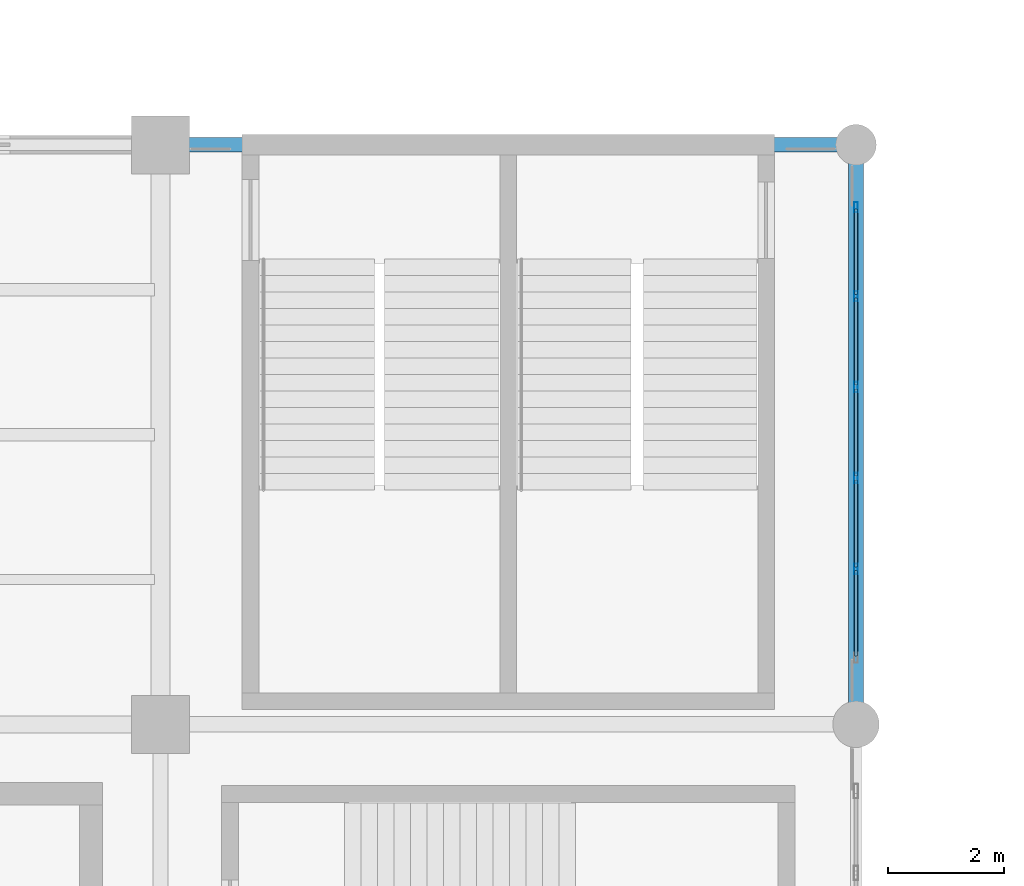
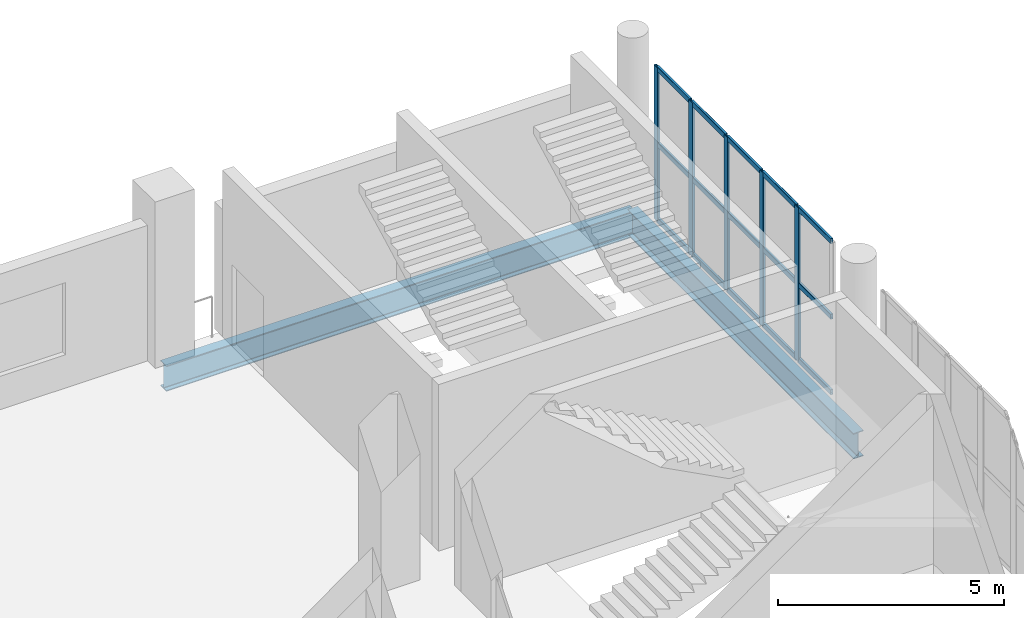
# One storey, part 65 of 108: 20 members, 2 beams, 1 element without a shape of its own.
"""IFC4 building model written with IfcOpenShell, lengths in metres."""

from ifc_helpers import new_model, si_unit, direction, frame, origin, origin_2d, place, context, subcontext, project, spatial, hollow_rectangle, i_section, extrude, material, layer, layer_set, material_profile, profile_set, type_object, element, aggregate, save


model = new_model("IFC4")

# Units and contexts
model_context = context("Model", 3, precision=1e-05, world=origin(), true_north=direction((0.0, 1.0)))
body_context = subcontext(model_context, "Body", "Model", "MODEL_VIEW")
ifc_project = project(units=[si_unit("LENGTHUNIT", "METRE"), si_unit("AREAUNIT", "SQUARE_METRE"), si_unit("VOLUMEUNIT", "CUBIC_METRE"), si_unit("PLANEANGLEUNIT", "RADIAN"), si_unit("MASSUNIT", "GRAM", prefix="KILO")], contexts=[model_context])

# Site, building, storey
site_placement = place(None, origin())
site = spatial("IfcSite", under=ifc_project, at=site_placement, CompositionType="ELEMENT")
building_placement = place(site_placement, origin())
building = spatial("IfcBuilding", under=site, at=building_placement, Name="Brinegate Civic Arena", CompositionType="ELEMENT")
storey_placement = place(building_placement, frame((0.0, 0.0, 10.199951171875)))
storey = spatial("IfcBuildingStorey", under=building, at=storey_placement, Name="L02", CompositionType="ELEMENT", Elevation=10.199951171875)

# Curtain wall, members
ifc_material_1 = material(Name="Marine grade aluminium", Category="aluminium")
ifc_layer = layer(ifc_material_1, 0.199951171875, Name="Marine grade aluminium")
ifc_layer_set = layer_set([ifc_layer], Name="Marine grade aluminium")
curtain_wall_type = type_object("IfcCurtainWallType", Name="CW-BOWL-GLAZED-01", PredefinedType="USERDEFINED", material=ifc_layer_set)
curtain_wall_placement = place(storey_placement, origin())
curtain_wall = element("IfcCurtainWall", 1, at=curtain_wall_placement, inside=storey, type_object=curtain_wall_type, Name="Curtain Wall CWA-092", ObjectType="GLAZED CURTAIN WALL", PredefinedType="USERDEFINED")
ifc_material_profile_1 = material_profile(ifc_material_1, hollow_rectangle(XDim=0.06494140625, YDim=0.179931640625, WallThickness=0.0048828125, InnerFilletRadius=0.00390625, OuterFilletRadius=0.008056640625, at=origin_2d()), Name="MUL65X180")
ifc_profile_set_1 = profile_set([ifc_material_profile_1], Name="Marine grade aluminium")
member_type_1 = type_object("IfcMemberType", Name="CW-MULLION-65X180", PredefinedType="MULLION", material=ifc_profile_set_1)
member_1_placement = place(storey_placement, frame((168.0, 106.683837890625, 0.0), z_axis=(0.0, 0.0, 1.0), x_axis=(-1.0, 0.0, 0.0)))
member_1 = element("IfcMember", 2, at=member_1_placement, type_object=member_type_1, Name="CWA-092 mullion 2", PredefinedType="MULLION", context=body_context, shape_type="SweptSolid", body=[
    extrude(hollow_rectangle(XDim=0.06494140625, YDim=0.179931640625, WallThickness=0.0048828125, InnerFilletRadius=0.00390625, OuterFilletRadius=0.008056640625, at=origin_2d()), origin(), (0.0, 0.0, 1.0), 4.150146484375),
])
member_2_placement = place(storey_placement, frame((168.0, 108.251708984375, 0.0), z_axis=(0.0, 0.0, 1.0), x_axis=(-1.0, 0.0, 0.0)))
member_2 = element("IfcMember", 3, at=member_2_placement, type_object=member_type_1, Name="CWA-092 mullion 3", PredefinedType="MULLION", context=body_context, shape_type="SweptSolid", body=[
    extrude(hollow_rectangle(XDim=0.06494140625, YDim=0.179931640625, WallThickness=0.0048828125, InnerFilletRadius=0.00390625, OuterFilletRadius=0.008056640625, at=origin_2d()), origin(), (0.0, 0.0, 1.0), 4.150146484375),
])
member_3_placement = place(storey_placement, frame((168.0, 109.8193359375, 0.0), z_axis=(0.0, 0.0, 1.0), x_axis=(-1.0, 0.0, 0.0)))
member_3 = element("IfcMember", 4, at=member_3_placement, type_object=member_type_1, Name="CWA-092 mullion 4", PredefinedType="MULLION", context=body_context, shape_type="SweptSolid", body=[
    extrude(hollow_rectangle(XDim=0.06494140625, YDim=0.179931640625, WallThickness=0.0048828125, InnerFilletRadius=0.00390625, OuterFilletRadius=0.008056640625, at=origin_2d()), origin(), (0.0, 0.0, 1.0), 4.150146484375),
])
member_4_placement = place(storey_placement, frame((168.0, 111.38720703125, 0.0), z_axis=(0.0, 0.0, 1.0), x_axis=(-1.0, 0.0, 0.0)))
member_4 = element("IfcMember", 5, at=member_4_placement, type_object=member_type_1, Name="CWA-092 mullion 5", PredefinedType="MULLION", context=body_context, shape_type="SweptSolid", body=[
    extrude(hollow_rectangle(XDim=0.06494140625, YDim=0.179931640625, WallThickness=0.0048828125, InnerFilletRadius=0.00390625, OuterFilletRadius=0.008056640625, at=origin_2d()), origin(), (0.0, 0.0, 1.0), 4.150146484375),
])
member_5_placement = place(storey_placement, frame((168.0, 112.922607421875, 0.0), z_axis=(0.0, 0.0, 1.0), x_axis=(-1.0, 0.0, 0.0)))
member_5 = element("IfcMember", 6, at=member_5_placement, type_object=member_type_1, Name="CWA-092 mullion 6", PredefinedType="MULLION", context=body_context, shape_type="SweptSolid", body=[
    extrude(hollow_rectangle(XDim=0.06494140625, YDim=0.179931640625, WallThickness=0.0048828125, InnerFilletRadius=0.00390625, OuterFilletRadius=0.008056640625, at=origin_2d()), origin(), (0.0, 0.0, 1.0), 4.150146484375),
])
ifc_material_profile_2 = material_profile(ifc_material_1, hollow_rectangle(XDim=0.06494140625, YDim=0.139892578125, WallThickness=0.0048828125, InnerFilletRadius=0.00390625, OuterFilletRadius=0.008056640625, at=origin_2d()), Name="TRN65X140")
ifc_profile_set_2 = profile_set([ifc_material_profile_2], Name="Marine grade aluminium")
member_type_2 = type_object("IfcMemberType", Name="CW-TRANSOM-65X140", PredefinedType="USERDEFINED", material=ifc_profile_set_2)
member_6_placement = place(storey_placement, frame((168.0, 105.180908203125, 0.032470703125), z_axis=(0.0, 1.0, 0.0), x_axis=(-1.0, 0.0, 0.0)))
member_6 = element("IfcMember", 7, at=member_6_placement, type_object=member_type_2, Name="CWA-092 transom 1.1", ObjectType="TRANSOM", PredefinedType="USERDEFINED", context=body_context, shape_type="SweptSolid", body=[
    extrude(hollow_rectangle(XDim=0.06494140625, YDim=0.139892578125, WallThickness=0.0048828125, InnerFilletRadius=0.00390625, OuterFilletRadius=0.008056640625, at=origin_2d()), origin(), (0.0, 0.0, 1.0), 1.470458984375),
])
member_7_placement = place(storey_placement, frame((168.0, 105.180908203125, 2.074951171875), z_axis=(0.0, 1.0, 0.0), x_axis=(-1.0, 0.0, 0.0)))
member_7 = element("IfcMember", 8, at=member_7_placement, type_object=member_type_2, Name="CWA-092 transom 1.2", ObjectType="TRANSOM", PredefinedType="USERDEFINED", context=body_context, shape_type="SweptSolid", body=[
    extrude(hollow_rectangle(XDim=0.06494140625, YDim=0.139892578125, WallThickness=0.0048828125, InnerFilletRadius=0.00390625, OuterFilletRadius=0.008056640625, at=origin_2d()), origin(), (0.0, 0.0, 1.0), 1.470458984375),
])
member_8_placement = place(storey_placement, frame((168.0, 105.180908203125, 4.117431640625), z_axis=(0.0, 1.0, 0.0), x_axis=(-1.0, 0.0, 0.0)))
member_8 = element("IfcMember", 9, at=member_8_placement, type_object=member_type_2, Name="CWA-092 transom 1.3", ObjectType="TRANSOM", PredefinedType="USERDEFINED", context=body_context, shape_type="SweptSolid", body=[
    extrude(hollow_rectangle(XDim=0.06494140625, YDim=0.139892578125, WallThickness=0.0048828125, InnerFilletRadius=0.00390625, OuterFilletRadius=0.008056640625, at=origin_2d()), origin(), (0.0, 0.0, 1.0), 1.470458984375),
])
member_9_placement = place(storey_placement, frame((168.0, 106.71630859375, 0.032470703125), z_axis=(0.0, 1.0, 0.0), x_axis=(-1.0, 0.0, 0.0)))
member_9 = element("IfcMember", 10, at=member_9_placement, type_object=member_type_2, Name="CWA-092 transom 2.1", ObjectType="TRANSOM", PredefinedType="USERDEFINED", context=body_context, shape_type="SweptSolid", body=[
    extrude(hollow_rectangle(XDim=0.06494140625, YDim=0.139892578125, WallThickness=0.0048828125, InnerFilletRadius=0.00390625, OuterFilletRadius=0.008056640625, at=origin_2d()), origin(), (0.0, 0.0, 1.0), 1.502685546875),
])
member_10_placement = place(storey_placement, frame((168.0, 106.71630859375, 2.074951171875), z_axis=(0.0, 1.0, 0.0), x_axis=(-1.0, 0.0, 0.0)))
member_10 = element("IfcMember", 11, at=member_10_placement, type_object=member_type_2, Name="CWA-092 transom 2.2", ObjectType="TRANSOM", PredefinedType="USERDEFINED", context=body_context, shape_type="SweptSolid", body=[
    extrude(hollow_rectangle(XDim=0.06494140625, YDim=0.139892578125, WallThickness=0.0048828125, InnerFilletRadius=0.00390625, OuterFilletRadius=0.008056640625, at=origin_2d()), origin(), (0.0, 0.0, 1.0), 1.502685546875),
])
member_11_placement = place(storey_placement, frame((168.0, 106.71630859375, 4.117431640625), z_axis=(0.0, 1.0, 0.0), x_axis=(-1.0, 0.0, 0.0)))
member_11 = element("IfcMember", 12, at=member_11_placement, type_object=member_type_2, Name="CWA-092 transom 2.3", ObjectType="TRANSOM", PredefinedType="USERDEFINED", context=body_context, shape_type="SweptSolid", body=[
    extrude(hollow_rectangle(XDim=0.06494140625, YDim=0.139892578125, WallThickness=0.0048828125, InnerFilletRadius=0.00390625, OuterFilletRadius=0.008056640625, at=origin_2d()), origin(), (0.0, 0.0, 1.0), 1.502685546875),
])
member_12_placement = place(storey_placement, frame((168.0, 108.2841796875, 0.032470703125), z_axis=(0.0, 1.0, 0.0), x_axis=(-1.0, 0.0, 0.0)))
member_12 = element("IfcMember", 13, at=member_12_placement, type_object=member_type_2, Name="CWA-092 transom 3.1", ObjectType="TRANSOM", PredefinedType="USERDEFINED", context=body_context, shape_type="SweptSolid", body=[
    extrude(hollow_rectangle(XDim=0.06494140625, YDim=0.139892578125, WallThickness=0.0048828125, InnerFilletRadius=0.00390625, OuterFilletRadius=0.008056640625, at=origin_2d()), origin(), (0.0, 0.0, 1.0), 1.502685546875),
])
member_13_placement = place(storey_placement, frame((168.0, 108.2841796875, 2.074951171875), z_axis=(0.0, 1.0, 0.0), x_axis=(-1.0, 0.0, 0.0)))
member_13 = element("IfcMember", 14, at=member_13_placement, type_object=member_type_2, Name="CWA-092 transom 3.2", ObjectType="TRANSOM", PredefinedType="USERDEFINED", context=body_context, shape_type="SweptSolid", body=[
    extrude(hollow_rectangle(XDim=0.06494140625, YDim=0.139892578125, WallThickness=0.0048828125, InnerFilletRadius=0.00390625, OuterFilletRadius=0.008056640625, at=origin_2d()), origin(), (0.0, 0.0, 1.0), 1.502685546875),
])
member_14_placement = place(storey_placement, frame((168.0, 108.2841796875, 4.117431640625), z_axis=(0.0, 1.0, 0.0), x_axis=(-1.0, 0.0, 0.0)))
member_14 = element("IfcMember", 15, at=member_14_placement, type_object=member_type_2, Name="CWA-092 transom 3.3", ObjectType="TRANSOM", PredefinedType="USERDEFINED", context=body_context, shape_type="SweptSolid", body=[
    extrude(hollow_rectangle(XDim=0.06494140625, YDim=0.139892578125, WallThickness=0.0048828125, InnerFilletRadius=0.00390625, OuterFilletRadius=0.008056640625, at=origin_2d()), origin(), (0.0, 0.0, 1.0), 1.502685546875),
])
member_15_placement = place(storey_placement, frame((168.0, 109.851806640625, 0.032470703125), z_axis=(0.0, 1.0, 0.0), x_axis=(-1.0, 0.0, 0.0)))
member_15 = element("IfcMember", 16, at=member_15_placement, type_object=member_type_2, Name="CWA-092 transom 4.1", ObjectType="TRANSOM", PredefinedType="USERDEFINED", context=body_context, shape_type="SweptSolid", body=[
    extrude(hollow_rectangle(XDim=0.06494140625, YDim=0.139892578125, WallThickness=0.0048828125, InnerFilletRadius=0.00390625, OuterFilletRadius=0.008056640625, at=origin_2d()), origin(), (0.0, 0.0, 1.0), 1.5029296875),
])
member_16_placement = place(storey_placement, frame((168.0, 109.851806640625, 2.074951171875), z_axis=(0.0, 1.0, 0.0), x_axis=(-1.0, 0.0, 0.0)))
member_16 = element("IfcMember", 17, at=member_16_placement, type_object=member_type_2, Name="CWA-092 transom 4.2", ObjectType="TRANSOM", PredefinedType="USERDEFINED", context=body_context, shape_type="SweptSolid", body=[
    extrude(hollow_rectangle(XDim=0.06494140625, YDim=0.139892578125, WallThickness=0.0048828125, InnerFilletRadius=0.00390625, OuterFilletRadius=0.008056640625, at=origin_2d()), origin(), (0.0, 0.0, 1.0), 1.5029296875),
])
member_17_placement = place(storey_placement, frame((168.0, 109.851806640625, 4.117431640625), z_axis=(0.0, 1.0, 0.0), x_axis=(-1.0, 0.0, 0.0)))
member_17 = element("IfcMember", 18, at=member_17_placement, type_object=member_type_2, Name="CWA-092 transom 4.3", ObjectType="TRANSOM", PredefinedType="USERDEFINED", context=body_context, shape_type="SweptSolid", body=[
    extrude(hollow_rectangle(XDim=0.06494140625, YDim=0.139892578125, WallThickness=0.0048828125, InnerFilletRadius=0.00390625, OuterFilletRadius=0.008056640625, at=origin_2d()), origin(), (0.0, 0.0, 1.0), 1.5029296875),
])
member_18_placement = place(storey_placement, frame((168.0, 111.419677734375, 0.032470703125), z_axis=(0.0, 1.0, 0.0), x_axis=(-1.0, 0.0, 0.0)))
member_18 = element("IfcMember", 19, at=member_18_placement, type_object=member_type_2, Name="CWA-092 transom 5.1", ObjectType="TRANSOM", PredefinedType="USERDEFINED", context=body_context, shape_type="SweptSolid", body=[
    extrude(hollow_rectangle(XDim=0.06494140625, YDim=0.139892578125, WallThickness=0.0048828125, InnerFilletRadius=0.00390625, OuterFilletRadius=0.008056640625, at=origin_2d()), origin(), (0.0, 0.0, 1.0), 1.47021484375),
])
member_19_placement = place(storey_placement, frame((168.0, 111.419677734375, 2.074951171875), z_axis=(0.0, 1.0, 0.0), x_axis=(-1.0, 0.0, 0.0)))
member_19 = element("IfcMember", 20, at=member_19_placement, type_object=member_type_2, Name="CWA-092 transom 5.2", ObjectType="TRANSOM", PredefinedType="USERDEFINED", context=body_context, shape_type="SweptSolid", body=[
    extrude(hollow_rectangle(XDim=0.06494140625, YDim=0.139892578125, WallThickness=0.0048828125, InnerFilletRadius=0.00390625, OuterFilletRadius=0.008056640625, at=origin_2d()), origin(), (0.0, 0.0, 1.0), 1.47021484375),
])
member_20_placement = place(storey_placement, frame((168.0, 111.419677734375, 4.117431640625), z_axis=(0.0, 1.0, 0.0), x_axis=(-1.0, 0.0, 0.0)))
member_20 = element("IfcMember", 21, at=member_20_placement, type_object=member_type_2, Name="CWA-092 transom 5.3", ObjectType="TRANSOM", PredefinedType="USERDEFINED", context=body_context, shape_type="SweptSolid", body=[
    extrude(hollow_rectangle(XDim=0.06494140625, YDim=0.139892578125, WallThickness=0.0048828125, InnerFilletRadius=0.00390625, OuterFilletRadius=0.008056640625, at=origin_2d()), origin(), (0.0, 0.0, 1.0), 1.47021484375),
])
aggregate(curtain_wall, [member_1, member_2, member_3, member_4, member_5, member_6, member_7, member_8, member_9, member_10, member_11, member_12, member_13, member_14, member_15, member_16, member_17, member_18, member_19, member_20])

# Beams
ifc_material_2 = material(Name="Steel S355", Category="steel")
ifc_material_profile_3 = material_profile(ifc_material_2, i_section(OverallWidth=0.256103515625, OverallDepth=0.693115234375, WebThickness=0.014892578125, FlangeThickness=0.02392578125, FilletRadius=0.01806640625, at=origin_2d()), Name="W690X170")
ifc_profile_set_3 = profile_set([ifc_material_profile_3], Name="Steel S355")
beam_type = type_object("IfcBeamType", Name="SPANDREL-W690X170", PredefinedType="SPANDREL", material=ifc_profile_set_3)
beam_1_placement = place(storey_placement, frame((156.0, 114.0, -0.676025390625), z_axis=(1.0, 0.0, 0.0), x_axis=(0.0, 1.0, 0.0)))
element("IfcBeam", 22, at=beam_1_placement, inside=storey, type_object=beam_type, Name="Floor Girder BM-L02-GX-13-11", PredefinedType="SPANDREL", context=body_context, shape_type="SweptSolid", body=[
    extrude(i_section(OverallWidth=0.256103515625, OverallDepth=0.693115234375, WebThickness=0.014892578125, FlangeThickness=0.02392578125, FilletRadius=0.01806640625, at=origin_2d()), origin(), (0.0, 0.0, 1.0), 12.0),
])
beam_2_placement = place(storey_placement, frame((168.0, 104.0, -0.676025390625), z_axis=(0.0, 1.0, 0.0), x_axis=(-1.0, 0.0, 0.0)))
element("IfcBeam", 23, at=beam_2_placement, inside=storey, type_object=beam_type, Name="Floor Girder BM-L02-GY-14-10", PredefinedType="SPANDREL", context=body_context, shape_type="SweptSolid", body=[
    extrude(i_section(OverallWidth=0.256103515625, OverallDepth=0.693115234375, WebThickness=0.014892578125, FlangeThickness=0.02392578125, FilletRadius=0.01806640625, at=origin_2d()), origin(), (0.0, 0.0, 1.0), 10.0),
])

save(model, "model.ifc")
